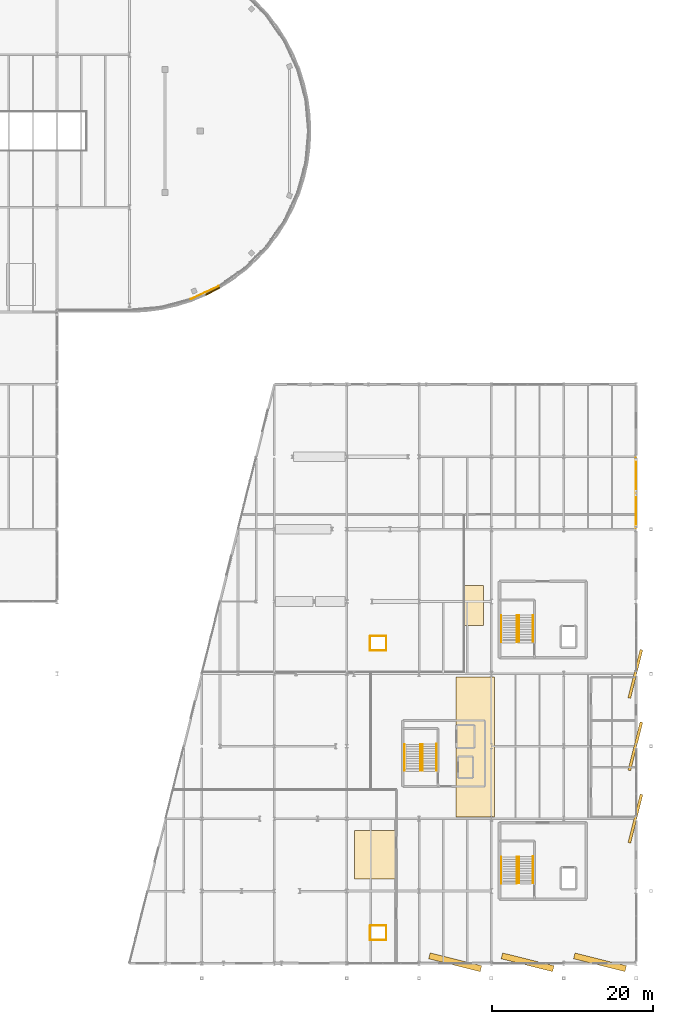
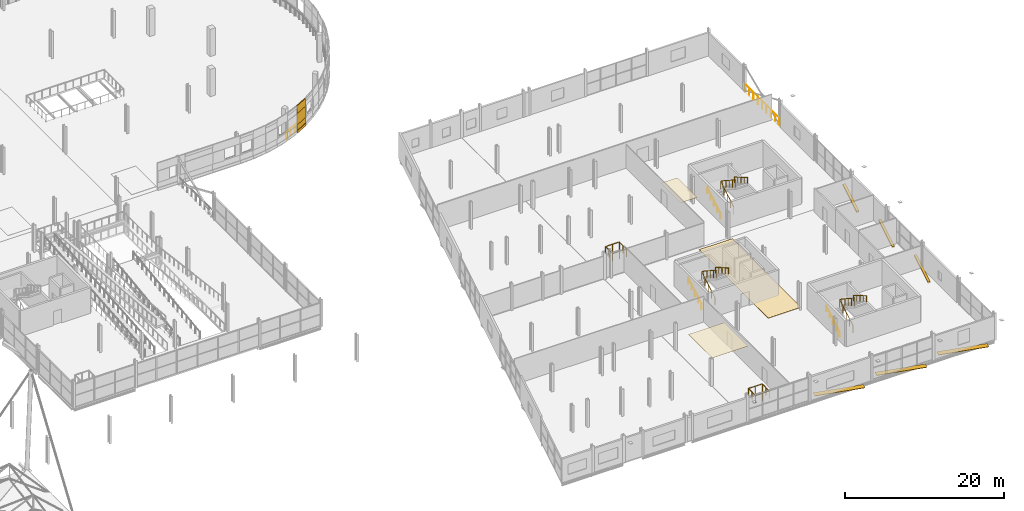
# One storey, part 129 of 132: 15 railings, 7 coverings, 6 shading devices.
"""IFC4 building model written with IfcOpenShell, lengths in metres."""

from ifc_helpers import new_model, si_unit, direction, frame, origin, origin_2d, place, context, subcontext, project, spatial, polyline, rectangle, circle, outline, extrude, material, layer, layer_set, type_object, element, save


model = new_model("IFC4")

# Units and contexts
model_context = context("Model", 3, precision=1e-05, world=origin(), true_north=direction((0.0, 1.0)))
body_context = subcontext(model_context, "Body", "Model", "MODEL_VIEW")
ifc_project = project(units=[si_unit("LENGTHUNIT", "METRE"), si_unit("AREAUNIT", "SQUARE_METRE"), si_unit("VOLUMEUNIT", "CUBIC_METRE"), si_unit("PLANEANGLEUNIT", "RADIAN"), si_unit("MASSUNIT", "GRAM", prefix="KILO")], contexts=[model_context])

# Site, building, storey
site_placement = place(None, origin())
site = spatial("IfcSite", under=ifc_project, at=site_placement, CompositionType="ELEMENT")
building_placement = place(site_placement, origin())
building = spatial("IfcBuilding", under=site, at=building_placement, Name="Deido Ridge Mobility Hub", CompositionType="ELEMENT")
storey_placement = place(building_placement, frame((0.0, 0.0, 8.39990234375)))
storey = spatial("IfcBuildingStorey", under=building, at=storey_placement, Name="L02", CompositionType="ELEMENT", Elevation=8.39990234375)

# Coverings
ifc_material_1 = material(Name="Fired clay brick masonry", Category="masonry")
ifc_layer_1 = layer(ifc_material_1, 0.114990234375, Name="Fired clay brick masonry")
ifc_layer_set_1 = layer_set([ifc_layer_1], Name="Fired clay brick masonry")
covering_type_1 = type_object("IfcCoveringType", Name="COV-BRK-SCREEN-115", PredefinedType="CLADDING", material=ifc_layer_set_1)
covering_1_placement = place(storey_placement, frame((127.355224609375, 83.607666015625, 0.0), z_axis=(0.0, 0.0, 1.0), x_axis=(0.887018892077, 0.461733131905, 0.0)))
element("IfcCovering", 1, at=covering_1_placement, inside=storey, type_object=covering_type_1, Name="Open brickwork spandrel course BKS1 (L02)", PredefinedType="CLADDING", context=body_context, shape_type="SweptSolid", body=[
    extrude(rectangle(XDim=1.9619140625, YDim=0.125, at=origin_2d()), origin(), (0.0, 0.0, 1.0), 1.25),
])
covering_2_placement = place(storey_placement, frame((127.367919921875, 83.583251953125, 0.000244140625), z_axis=(0.0, 0.0, 1.0), x_axis=(0.887018892077, 0.461733131905, 0.0)))
element("IfcCovering", 2, at=covering_2_placement, inside=storey, type_object=covering_type_1, Name="Raised brick relief belt BKS1 (L02)", PredefinedType="CLADDING", context=body_context, shape_type="SweptSolid", body=[
    extrude(rectangle(XDim=1.9619140625, YDim=0.179931640625, at=origin_2d()), origin(), (0.0, 0.0, 1.0), 0.39990234375),
])
covering_3_placement = place(storey_placement, frame((127.355224609375, 83.607666015625, 3.0), z_axis=(0.0, 0.0, 1.0), x_axis=(0.887018892077, 0.461733131905, 0.0)))
element("IfcCovering", 3, at=covering_3_placement, inside=storey, type_object=covering_type_1, Name="Open brickwork lintel course BKS1 (L02)", PredefinedType="CLADDING", context=body_context, shape_type="SweptSolid", body=[
    extrude(rectangle(XDim=1.9619140625, YDim=0.125, at=origin_2d()), origin(), (0.0, 0.0, 1.0), 1.199951171875),
])
covering_4_placement = place(storey_placement, frame((127.355224609375, 83.607666015625, 1.25), z_axis=(0.0, 0.0, 1.0), x_axis=(0.887018892077, 0.461733131905, 0.0)))
element("IfcCovering", 4, at=covering_4_placement, inside=storey, type_object=covering_type_1, Name="Curved raised brickwork pier BKS1 (L02)", PredefinedType="CLADDING", context=body_context, shape_type="SweptSolid", body=[
    extrude(rectangle(XDim=1.9619140625, YDim=0.125, at=origin_2d()), origin(), (0.0, 0.0, 1.0), 1.75),
])
ifc_material_2 = material(Name="Powder-coated aluminium cladding EN AW-3003", Category="aluminium")
ifc_layer_2 = layer(ifc_material_2, 0.02001953125, Name="Powder-coated aluminium cladding EN AW-3003")
ifc_layer_set_2 = layer_set([ifc_layer_2], Name="Powder-coated aluminium cladding EN AW-3003")
covering_type_2 = type_object("IfcCoveringType", Name="COV-CEIL-ALU-20", PredefinedType="CEILING", material=ifc_layer_set_2)
covering_5_placement = place(storey_placement, frame((0.0, 0.0, 2.9501953125)))
element("IfcCovering", 5, at=covering_5_placement, inside=storey, type_object=covering_type_2, Name="Acoustic suspended ceiling CL1 (L02)", PredefinedType="CEILING", context=body_context, shape_type="SweptSolid", body=[
    extrude(outline(polyline([(145.0, 10.5), (150.199951171875, 10.5), (150.199951171875, 16.5), (145.0, 16.5), (145.0, 10.5)])), origin(), (0.0, 0.0, 1.0), 0.02001953125),
])
covering_6_placement = place(storey_placement, frame((0.0, 0.0, 2.9501953125)))
element("IfcCovering", 6, at=covering_6_placement, inside=storey, type_object=covering_type_2, Name="Corridor acoustic ceiling CL1 (L02)", PredefinedType="CEILING", context=body_context, shape_type="SweptSolid", body=[
    extrude(outline(polyline([(158.60009765625, 42.0), (161.0, 42.0), (161.0, 47.0), (158.60009765625, 47.0), (158.60009765625, 42.0)])), origin(), (0.0, 0.0, 1.0), 0.02001953125),
])
ifc_material_3 = material(Name="Epoxy terrazzo floor finish")
ifc_layer_3 = layer(ifc_material_3, 0.02001953125, Name="Epoxy terrazzo floor finish")
ifc_layer_set_3 = layer_set([ifc_layer_3], Name="Epoxy terrazzo floor finish")
covering_type_3 = type_object("IfcCoveringType", Name="COV-FLR-TER-20", PredefinedType="FLOORING", material=ifc_layer_set_3)
covering_7_placement = place(storey_placement, origin())
element("IfcCovering", 7, at=covering_7_placement, inside=storey, type_object=covering_type_3, Name="Epoxy terrazzo corridor flooring FC1 (L02)", PredefinedType="FLOORING", context=body_context, shape_type="SweptSolid", body=[
    extrude(outline(polyline([(157.60009765625, 18.199951171875), (162.39990234375, 18.199951171875), (162.39990234375, 35.60009765625), (157.60009765625, 35.60009765625), (157.60009765625, 18.199951171875)])), origin(), (0.0, 0.0, 1.0), 0.02001953125),
])

# Railings
ifc_material_4 = material(Name="Galvanised steel work", Category="steel")
railing_type_1 = type_object("IfcRailingType", Name="RL-GRD-EXT-1150", PredefinedType="GUARDRAIL", material=ifc_material_4)
railing_1_placement = place(storey_placement, frame((180.0, 54.14990234375, 0.0)))
element("IfcRailing", 8, at=railing_1_placement, inside=storey, type_object=railing_type_1, Name="Braced bay perimeter guard (L02)", PredefinedType="GUARDRAIL", context=body_context, shape_type="SweptSolid", body=[
    extrude(circle(Radius=0.02392578125, at=origin_2d()), frame((0.0, 0.0, 1.1259765625), z_axis=(0.0, 1.0, 0.0), x_axis=(-1.0, 0.0, 0.0)), (0.0, 0.0, 1.0), 8.7001953125),
    extrude(circle(Radius=0.02099609375, at=origin_2d()), origin(), (0.0, 0.0, 1.0), 1.101806640625),
    extrude(circle(Radius=0.02099609375, at=origin_2d()), frame((0.0, 1.08740234375, 0.0)), (0.0, 0.0, 1.0), 1.101806640625),
    extrude(circle(Radius=0.02099609375, at=origin_2d()), frame((0.0, 2.175048828125, 0.0)), (0.0, 0.0, 1.0), 1.101806640625),
    extrude(circle(Radius=0.02099609375, at=origin_2d()), frame((0.0, 3.2626953125, 0.0)), (0.0, 0.0, 1.0), 1.101806640625),
    extrude(circle(Radius=0.02099609375, at=origin_2d()), frame((0.0, 4.35009765625, 0.0)), (0.0, 0.0, 1.0), 1.101806640625),
    extrude(circle(Radius=0.02099609375, at=origin_2d()), frame((0.0, 5.4375, 0.0)), (0.0, 0.0, 1.0), 1.101806640625),
    extrude(circle(Radius=0.02099609375, at=origin_2d()), frame((0.0, 6.525146484375, 0.0)), (0.0, 0.0, 1.0), 1.101806640625),
    extrude(circle(Radius=0.02099609375, at=origin_2d()), frame((0.0, 7.61279296875, 0.0)), (0.0, 0.0, 1.0), 1.101806640625),
    extrude(circle(Radius=0.02099609375, at=origin_2d()), frame((0.0, 8.7001953125, 0.0)), (0.0, 0.0, 1.0), 1.101806640625),
])
railing_2_placement = place(storey_placement, frame((124.646240234375, 82.608642578125, 0.0)))
element("IfcRailing", 9, at=railing_2_placement, inside=storey, type_object=railing_type_1, Name="Parking drum perimeter guard (L02)", PredefinedType="GUARDRAIL", context=body_context, shape_type="SweptSolid", body=[
    extrude(circle(Radius=0.02392578125, at=origin_2d()), frame((0.0, 0.0, 1.1259765625), z_axis=(0.906281639574, 0.422674330627, 0.0), x_axis=(-0.422674330627, 0.906281639574, 0.0)), (0.0, 0.0, 1.0), 3.79833984375),
    extrude(circle(Radius=0.02099609375, at=origin_2d()), origin(), (0.0, 0.0, 1.0), 1.101806640625),
    extrude(circle(Radius=0.02099609375, at=origin_2d()), frame((0.860595703125, 0.4013671875, 0.0)), (0.0, 0.0, 1.0), 1.101806640625),
    extrude(circle(Radius=0.02099609375, at=origin_2d()), frame((1.72119140625, 0.802734375, 0.0)), (0.0, 0.0, 1.0), 1.101806640625),
    extrude(circle(Radius=0.02099609375, at=origin_2d()), frame((2.581787109375, 1.2041015625, 0.0)), (0.0, 0.0, 1.0), 1.101806640625),
    extrude(circle(Radius=0.02099609375, at=origin_2d()), frame((3.4423828125, 1.60546875, 0.0)), (0.0, 0.0, 1.0), 1.101806640625),
])
railing_3_placement = place(storey_placement, frame((146.925048828125, 2.89990234375, 0.0)))
element("IfcRailing", 10, at=railing_3_placement, inside=storey, type_object=railing_type_1, Name="Service riser shaft guard (L02) A", PredefinedType="GUARDRAIL", context=body_context, shape_type="SweptSolid", body=[
    extrude(circle(Radius=0.02392578125, at=origin_2d()), frame((0.0, 0.0, 1.1259765625), z_axis=(1.0, 0.0, 0.0), x_axis=(0.0, 1.0, 0.0)), (0.0, 0.0, 1.0), 2.0),
    extrude(circle(Radius=0.02392578125, at=origin_2d()), frame((2.0, 0.0, 1.1259765625), z_axis=(0.0, 1.0, 0.0), x_axis=(-1.0, 0.0, 0.0)), (0.0, 0.0, 1.0), 1.739990234375),
    extrude(circle(Radius=0.02099609375, at=origin_2d()), origin(), (0.0, 0.0, 1.0), 1.101806640625),
    extrude(circle(Radius=0.02099609375, at=origin_2d()), frame((1.0, 0.0, 0.0)), (0.0, 0.0, 1.0), 1.101806640625),
    extrude(circle(Radius=0.02099609375, at=origin_2d()), frame((2.0, 0.0, 0.0)), (0.0, 0.0, 1.0), 1.101806640625),
    extrude(circle(Radius=0.02099609375, at=origin_2d()), frame((2.0, 0.8701171875, 0.0)), (0.0, 0.0, 1.0), 1.101806640625),
    extrude(circle(Radius=0.02099609375, at=origin_2d()), frame((2.0, 1.739990234375, 0.0)), (0.0, 0.0, 1.0), 1.101806640625),
])
railing_4_placement = place(storey_placement, frame((148.925048828125, 4.699951171875, 0.0)))
element("IfcRailing", 11, at=railing_4_placement, inside=storey, type_object=railing_type_1, Name="Service riser shaft guard (L02) B", PredefinedType="GUARDRAIL", context=body_context, shape_type="SweptSolid", body=[
    extrude(circle(Radius=0.02392578125, at=origin_2d()), frame((0.0, 0.0, 1.1259765625), z_axis=(-1.0, 0.0, 0.0), x_axis=(0.0, -1.0, 0.0)), (0.0, 0.0, 1.0), 2.0),
    extrude(circle(Radius=0.02392578125, at=origin_2d()), frame((-2.0, 0.0, 1.1259765625), z_axis=(0.0, -1.0, 0.0), x_axis=(1.0, 0.0, 0.0)), (0.0, 0.0, 1.0), 1.739990234375),
    extrude(circle(Radius=0.02099609375, at=origin_2d()), origin(), (0.0, 0.0, 1.0), 1.101806640625),
    extrude(circle(Radius=0.02099609375, at=origin_2d()), frame((-1.0, 0.0, 0.0)), (0.0, 0.0, 1.0), 1.101806640625),
    extrude(circle(Radius=0.02099609375, at=origin_2d()), frame((-2.0, 0.0, 0.0)), (0.0, 0.0, 1.0), 1.101806640625),
    extrude(circle(Radius=0.02099609375, at=origin_2d()), frame((-2.0, -0.8701171875, 0.0)), (0.0, 0.0, 1.0), 1.101806640625),
    extrude(circle(Radius=0.02099609375, at=origin_2d()), frame((-2.0, -1.739990234375, 0.0)), (0.0, 0.0, 1.0), 1.101806640625),
])
railing_5_placement = place(storey_placement, frame((146.925048828125, 38.89990234375, 0.0)))
element("IfcRailing", 12, at=railing_5_placement, inside=storey, type_object=railing_type_1, Name="Service riser shaft guard (L02) A", PredefinedType="GUARDRAIL", context=body_context, shape_type="SweptSolid", body=[
    extrude(circle(Radius=0.02392578125, at=origin_2d()), frame((0.0, 0.0, 1.1259765625), z_axis=(1.0, 0.0, 0.0), x_axis=(0.0, 1.0, 0.0)), (0.0, 0.0, 1.0), 2.0),
    extrude(circle(Radius=0.02392578125, at=origin_2d()), frame((2.0, 0.0, 1.1259765625), z_axis=(0.0, 1.0, 0.0), x_axis=(-1.0, 0.0, 0.0)), (0.0, 0.0, 1.0), 1.739990234375),
    extrude(circle(Radius=0.02099609375, at=origin_2d()), origin(), (0.0, 0.0, 1.0), 1.101806640625),
    extrude(circle(Radius=0.02099609375, at=origin_2d()), frame((1.0, 0.0, 0.0)), (0.0, 0.0, 1.0), 1.101806640625),
    extrude(circle(Radius=0.02099609375, at=origin_2d()), frame((2.0, 0.0, 0.0)), (0.0, 0.0, 1.0), 1.101806640625),
    extrude(circle(Radius=0.02099609375, at=origin_2d()), frame((2.0, 0.8701171875, 0.0)), (0.0, 0.0, 1.0), 1.101806640625),
    extrude(circle(Radius=0.02099609375, at=origin_2d()), frame((2.0, 1.739990234375, 0.0)), (0.0, 0.0, 1.0), 1.101806640625),
])
railing_6_placement = place(storey_placement, frame((148.925048828125, 40.699951171875, 0.0)))
element("IfcRailing", 13, at=railing_6_placement, inside=storey, type_object=railing_type_1, Name="Service riser shaft guard (L02) B", PredefinedType="GUARDRAIL", context=body_context, shape_type="SweptSolid", body=[
    extrude(circle(Radius=0.02392578125, at=origin_2d()), frame((0.0, 0.0, 1.1259765625), z_axis=(-1.0, 0.0, 0.0), x_axis=(0.0, -1.0, 0.0)), (0.0, 0.0, 1.0), 2.0),
    extrude(circle(Radius=0.02392578125, at=origin_2d()), frame((-2.0, 0.0, 1.1259765625), z_axis=(0.0, -1.0, 0.0), x_axis=(1.0, 0.0, 0.0)), (0.0, 0.0, 1.0), 1.739990234375),
    extrude(circle(Radius=0.02099609375, at=origin_2d()), origin(), (0.0, 0.0, 1.0), 1.101806640625),
    extrude(circle(Radius=0.02099609375, at=origin_2d()), frame((-1.0, 0.0, 0.0)), (0.0, 0.0, 1.0), 1.101806640625),
    extrude(circle(Radius=0.02099609375, at=origin_2d()), frame((-2.0, 0.0, 0.0)), (0.0, 0.0, 1.0), 1.101806640625),
    extrude(circle(Radius=0.02099609375, at=origin_2d()), frame((-2.0, -0.8701171875, 0.0)), (0.0, 0.0, 1.0), 1.101806640625),
    extrude(circle(Radius=0.02099609375, at=origin_2d()), frame((-2.0, -1.739990234375, 0.0)), (0.0, 0.0, 1.0), 1.101806640625),
])
railing_type_2 = type_object("IfcRailingType", Name="RL-STAIR-GRD-1150", PredefinedType="GUARDRAIL", material=ifc_material_4)
railing_7_placement = place(storey_placement, frame((165.14990234375, 9.949951171875, 0.175048828125)))
element("IfcRailing", 14, at=railing_7_placement, inside=storey, type_object=railing_type_2, Name="ST1 inner well guard (L02)", PredefinedType="GUARDRAIL", context=body_context, shape_type="SweptSolid", body=[
    extrude(circle(Radius=0.02392578125, at=origin_2d()), frame((0.0, 0.0, 1.1259765625), z_axis=(0.0, 0.863776583165, 0.503874998761), x_axis=(-1.0, 0.0, 0.0)), (0.0, 0.0, 1.0), 3.820556640625),
    extrude(circle(Radius=0.02392578125, at=origin_2d()), frame((0.0, 3.300048828125, 3.05078125), z_axis=(1.0, 0.0, 0.0), x_axis=(0.0, 1.0, 0.0)), (0.0, 0.0, 1.0), 0.300048828125),
    extrude(circle(Radius=0.02392578125, at=origin_2d()), frame((0.300048828125, 3.300048828125, 3.05078125), z_axis=(0.0, -0.839905164138, 0.542733189748), x_axis=(1.0, 0.0, 0.0)), (0.0, 0.0, 1.0), 3.869384765625),
    extrude(circle(Radius=0.02099609375, at=origin_2d()), origin(), (0.0, 0.0, 1.0), 1.101806640625),
    extrude(circle(Radius=0.02099609375, at=origin_2d()), frame((0.0, 0.824951171875, 0.481201171875)), (0.0, 0.0, 1.0), 1.101806640625),
    extrude(circle(Radius=0.02099609375, at=origin_2d()), frame((0.0, 1.64990234375, 0.96240234375)), (0.0, 0.0, 1.0), 1.101806640625),
    extrude(circle(Radius=0.02099609375, at=origin_2d()), frame((0.0, 2.47509765625, 1.44384765625)), (0.0, 0.0, 1.0), 1.101806640625),
    extrude(circle(Radius=0.02099609375, at=origin_2d()), frame((0.0, 3.300048828125, 1.925048828125)), (0.0, 0.0, 1.0), 1.101806640625),
    extrude(circle(Radius=0.02099609375, at=origin_2d()), frame((0.300048828125, 3.300048828125, 1.925048828125)), (0.0, 0.0, 1.0), 1.101806640625),
    extrude(circle(Radius=0.02099609375, at=origin_2d()), frame((0.300048828125, 2.487548828125, 2.4501953125)), (0.0, 0.0, 1.0), 1.101806640625),
    extrude(circle(Radius=0.02099609375, at=origin_2d()), frame((0.300048828125, 1.675048828125, 2.97509765625)), (0.0, 0.0, 1.0), 1.101806640625),
    extrude(circle(Radius=0.02099609375, at=origin_2d()), frame((0.300048828125, 0.862548828125, 3.5)), (0.0, 0.0, 1.0), 1.101806640625),
    extrude(circle(Radius=0.02099609375, at=origin_2d()), frame((0.300048828125, 0.050048828125, 4.025146484375)), (0.0, 0.0, 1.0), 1.101806640625),
])
railing_8_placement = place(storey_placement, frame((165.14990234375, 39.949951171875, 0.175048828125)))
element("IfcRailing", 15, at=railing_8_placement, inside=storey, type_object=railing_type_2, Name="ST2 inner well guard (L02)", PredefinedType="GUARDRAIL", context=body_context, shape_type="SweptSolid", body=[
    extrude(circle(Radius=0.02392578125, at=origin_2d()), frame((0.0, 0.0, 1.1259765625), z_axis=(0.0, 0.863776583165, 0.503874998761), x_axis=(-1.0, 0.0, 0.0)), (0.0, 0.0, 1.0), 3.820556640625),
    extrude(circle(Radius=0.02392578125, at=origin_2d()), frame((0.0, 3.300048828125, 3.05078125), z_axis=(1.0, 0.0, 0.0), x_axis=(0.0, 1.0, 0.0)), (0.0, 0.0, 1.0), 0.300048828125),
    extrude(circle(Radius=0.02392578125, at=origin_2d()), frame((0.300048828125, 3.300048828125, 3.05078125), z_axis=(0.0, -0.839905164138, 0.542733189748), x_axis=(1.0, 0.0, 0.0)), (0.0, 0.0, 1.0), 3.869384765625),
    extrude(circle(Radius=0.02099609375, at=origin_2d()), origin(), (0.0, 0.0, 1.0), 1.101806640625),
    extrude(circle(Radius=0.02099609375, at=origin_2d()), frame((0.0, 0.824951171875, 0.481201171875)), (0.0, 0.0, 1.0), 1.101806640625),
    extrude(circle(Radius=0.02099609375, at=origin_2d()), frame((0.0, 1.64990234375, 0.96240234375)), (0.0, 0.0, 1.0), 1.101806640625),
    extrude(circle(Radius=0.02099609375, at=origin_2d()), frame((0.0, 2.47509765625, 1.44384765625)), (0.0, 0.0, 1.0), 1.101806640625),
    extrude(circle(Radius=0.02099609375, at=origin_2d()), frame((0.0, 3.300048828125, 1.925048828125)), (0.0, 0.0, 1.0), 1.101806640625),
    extrude(circle(Radius=0.02099609375, at=origin_2d()), frame((0.300048828125, 3.300048828125, 1.925048828125)), (0.0, 0.0, 1.0), 1.101806640625),
    extrude(circle(Radius=0.02099609375, at=origin_2d()), frame((0.300048828125, 2.487548828125, 2.4501953125)), (0.0, 0.0, 1.0), 1.101806640625),
    extrude(circle(Radius=0.02099609375, at=origin_2d()), frame((0.300048828125, 1.675048828125, 2.97509765625)), (0.0, 0.0, 1.0), 1.101806640625),
    extrude(circle(Radius=0.02099609375, at=origin_2d()), frame((0.300048828125, 0.862548828125, 3.5)), (0.0, 0.0, 1.0), 1.101806640625),
    extrude(circle(Radius=0.02099609375, at=origin_2d()), frame((0.300048828125, 0.050048828125, 4.025146484375)), (0.0, 0.0, 1.0), 1.101806640625),
])
railing_9_placement = place(storey_placement, frame((153.14990234375, 23.949951171875, 0.175048828125)))
element("IfcRailing", 16, at=railing_9_placement, inside=storey, type_object=railing_type_2, Name="ST3 inner well guard (L02)", PredefinedType="GUARDRAIL", context=body_context, shape_type="SweptSolid", body=[
    extrude(circle(Radius=0.02392578125, at=origin_2d()), frame((0.0, 0.0, 1.1259765625), z_axis=(0.0, 0.863776583165, 0.503874998761), x_axis=(-1.0, 0.0, 0.0)), (0.0, 0.0, 1.0), 3.820556640625),
    extrude(circle(Radius=0.02392578125, at=origin_2d()), frame((0.0, 3.300048828125, 3.05078125), z_axis=(1.0, 0.0, 0.0), x_axis=(0.0, 1.0, 0.0)), (0.0, 0.0, 1.0), 0.300048828125),
    extrude(circle(Radius=0.02392578125, at=origin_2d()), frame((0.300048828125, 3.300048828125, 3.05078125), z_axis=(0.0, -0.839905164138, 0.542733189748), x_axis=(1.0, 0.0, 0.0)), (0.0, 0.0, 1.0), 3.869384765625),
    extrude(circle(Radius=0.02099609375, at=origin_2d()), origin(), (0.0, 0.0, 1.0), 1.101806640625),
    extrude(circle(Radius=0.02099609375, at=origin_2d()), frame((0.0, 0.824951171875, 0.481201171875)), (0.0, 0.0, 1.0), 1.101806640625),
    extrude(circle(Radius=0.02099609375, at=origin_2d()), frame((0.0, 1.64990234375, 0.96240234375)), (0.0, 0.0, 1.0), 1.101806640625),
    extrude(circle(Radius=0.02099609375, at=origin_2d()), frame((0.0, 2.47509765625, 1.44384765625)), (0.0, 0.0, 1.0), 1.101806640625),
    extrude(circle(Radius=0.02099609375, at=origin_2d()), frame((0.0, 3.300048828125, 1.925048828125)), (0.0, 0.0, 1.0), 1.101806640625),
    extrude(circle(Radius=0.02099609375, at=origin_2d()), frame((0.300048828125, 3.300048828125, 1.925048828125)), (0.0, 0.0, 1.0), 1.101806640625),
    extrude(circle(Radius=0.02099609375, at=origin_2d()), frame((0.300048828125, 2.487548828125, 2.4501953125)), (0.0, 0.0, 1.0), 1.101806640625),
    extrude(circle(Radius=0.02099609375, at=origin_2d()), frame((0.300048828125, 1.675048828125, 2.97509765625)), (0.0, 0.0, 1.0), 1.101806640625),
    extrude(circle(Radius=0.02099609375, at=origin_2d()), frame((0.300048828125, 0.862548828125, 3.5)), (0.0, 0.0, 1.0), 1.101806640625),
    extrude(circle(Radius=0.02099609375, at=origin_2d()), frame((0.300048828125, 0.050048828125, 4.025146484375)), (0.0, 0.0, 1.0), 1.101806640625),
])
ifc_material_5 = material(Name="Stainless steel 316", Category="steel")
railing_type_3 = type_object("IfcRailingType", Name="RL-STAIR-HND-900", PredefinedType="HANDRAIL", material=ifc_material_5)
railing_10_placement = place(storey_placement, frame((163.222412109375, 9.949951171875, 0.175048828125)))
element("IfcRailing", 17, at=railing_10_placement, inside=storey, type_object=railing_type_3, Name="ST1 flight 1 handrail (L02)", PredefinedType="HANDRAIL", context=body_context, shape_type="SweptSolid", body=[
    extrude(circle(Radius=0.02392578125, at=origin_2d()), frame((0.0, 0.0, 0.8759765625), z_axis=(0.0, 0.863776583165, 0.503874998761), x_axis=(-1.0, 0.0, 0.0)), (0.0, 0.0, 1.0), 3.820556640625),
    extrude(circle(Radius=0.02099609375, at=origin_2d()), origin(), (0.0, 0.0, 1.0), 0.851806640625),
    extrude(circle(Radius=0.02099609375, at=origin_2d()), frame((0.0, 0.824951171875, 0.481201171875)), (0.0, 0.0, 1.0), 0.851806640625),
    extrude(circle(Radius=0.02099609375, at=origin_2d()), frame((0.0, 1.64990234375, 0.96240234375)), (0.0, 0.0, 1.0), 0.851806640625),
    extrude(circle(Radius=0.02099609375, at=origin_2d()), frame((0.0, 2.47509765625, 1.44384765625)), (0.0, 0.0, 1.0), 0.851806640625),
    extrude(circle(Radius=0.02099609375, at=origin_2d()), frame((0.0, 3.300048828125, 1.925048828125)), (0.0, 0.0, 1.0), 0.851806640625),
])
railing_11_placement = place(storey_placement, frame((167.175048828125, 13.300048828125, 2.275146484375)))
element("IfcRailing", 18, at=railing_11_placement, inside=storey, type_object=railing_type_3, Name="ST1 flight 2 handrail (L02)", PredefinedType="HANDRAIL", context=body_context, shape_type="SweptSolid", body=[
    extrude(circle(Radius=0.02392578125, at=origin_2d()), frame((0.0, 0.0, 0.8759765625), z_axis=(0.0, -0.863776583165, 0.503874998761), x_axis=(1.0, 0.0, 0.0)), (0.0, 0.0, 1.0), 3.820556640625),
    extrude(circle(Radius=0.02099609375, at=origin_2d()), origin(), (0.0, 0.0, 1.0), 0.851806640625),
    extrude(circle(Radius=0.02099609375, at=origin_2d()), frame((0.0, -0.824951171875, 0.481201171875)), (0.0, 0.0, 1.0), 0.851806640625),
    extrude(circle(Radius=0.02099609375, at=origin_2d()), frame((0.0, -1.64990234375, 0.96240234375)), (0.0, 0.0, 1.0), 0.851806640625),
    extrude(circle(Radius=0.02099609375, at=origin_2d()), frame((0.0, -2.47509765625, 1.44384765625)), (0.0, 0.0, 1.0), 0.851806640625),
    extrude(circle(Radius=0.02099609375, at=origin_2d()), frame((0.0, -3.300048828125, 1.925048828125)), (0.0, 0.0, 1.0), 0.851806640625),
])
railing_12_placement = place(storey_placement, frame((163.222412109375, 39.949951171875, 0.175048828125)))
element("IfcRailing", 19, at=railing_12_placement, inside=storey, type_object=railing_type_3, Name="ST2 flight 1 handrail (L02)", PredefinedType="HANDRAIL", context=body_context, shape_type="SweptSolid", body=[
    extrude(circle(Radius=0.02392578125, at=origin_2d()), frame((0.0, 0.0, 0.8759765625), z_axis=(0.0, 0.863776583165, 0.503874998761), x_axis=(-1.0, 0.0, 0.0)), (0.0, 0.0, 1.0), 3.820556640625),
    extrude(circle(Radius=0.02099609375, at=origin_2d()), origin(), (0.0, 0.0, 1.0), 0.851806640625),
    extrude(circle(Radius=0.02099609375, at=origin_2d()), frame((0.0, 0.824951171875, 0.481201171875)), (0.0, 0.0, 1.0), 0.851806640625),
    extrude(circle(Radius=0.02099609375, at=origin_2d()), frame((0.0, 1.64990234375, 0.96240234375)), (0.0, 0.0, 1.0), 0.851806640625),
    extrude(circle(Radius=0.02099609375, at=origin_2d()), frame((0.0, 2.47509765625, 1.44384765625)), (0.0, 0.0, 1.0), 0.851806640625),
    extrude(circle(Radius=0.02099609375, at=origin_2d()), frame((0.0, 3.300048828125, 1.925048828125)), (0.0, 0.0, 1.0), 0.851806640625),
])
railing_13_placement = place(storey_placement, frame((167.175048828125, 43.300048828125, 2.275146484375)))
element("IfcRailing", 20, at=railing_13_placement, inside=storey, type_object=railing_type_3, Name="ST2 flight 2 handrail (L02)", PredefinedType="HANDRAIL", context=body_context, shape_type="SweptSolid", body=[
    extrude(circle(Radius=0.02392578125, at=origin_2d()), frame((0.0, 0.0, 0.8759765625), z_axis=(0.0, -0.863776583165, 0.503874998761), x_axis=(1.0, 0.0, 0.0)), (0.0, 0.0, 1.0), 3.820556640625),
    extrude(circle(Radius=0.02099609375, at=origin_2d()), origin(), (0.0, 0.0, 1.0), 0.851806640625),
    extrude(circle(Radius=0.02099609375, at=origin_2d()), frame((0.0, -0.824951171875, 0.481201171875)), (0.0, 0.0, 1.0), 0.851806640625),
    extrude(circle(Radius=0.02099609375, at=origin_2d()), frame((0.0, -1.64990234375, 0.96240234375)), (0.0, 0.0, 1.0), 0.851806640625),
    extrude(circle(Radius=0.02099609375, at=origin_2d()), frame((0.0, -2.47509765625, 1.44384765625)), (0.0, 0.0, 1.0), 0.851806640625),
    extrude(circle(Radius=0.02099609375, at=origin_2d()), frame((0.0, -3.300048828125, 1.925048828125)), (0.0, 0.0, 1.0), 0.851806640625),
])
railing_14_placement = place(storey_placement, frame((151.2099609375, 23.949951171875, 0.175048828125)))
element("IfcRailing", 21, at=railing_14_placement, inside=storey, type_object=railing_type_3, Name="ST3 flight 1 handrail (L02)", PredefinedType="HANDRAIL", context=body_context, shape_type="SweptSolid", body=[
    extrude(circle(Radius=0.02392578125, at=origin_2d()), frame((0.0, 0.0, 0.8759765625), z_axis=(0.0, 0.863776583165, 0.503874998761), x_axis=(-1.0, 0.0, 0.0)), (0.0, 0.0, 1.0), 3.820556640625),
    extrude(circle(Radius=0.02099609375, at=origin_2d()), origin(), (0.0, 0.0, 1.0), 0.851806640625),
    extrude(circle(Radius=0.02099609375, at=origin_2d()), frame((0.0, 0.824951171875, 0.481201171875)), (0.0, 0.0, 1.0), 0.851806640625),
    extrude(circle(Radius=0.02099609375, at=origin_2d()), frame((0.0, 1.64990234375, 0.96240234375)), (0.0, 0.0, 1.0), 0.851806640625),
    extrude(circle(Radius=0.02099609375, at=origin_2d()), frame((0.0, 2.47509765625, 1.44384765625)), (0.0, 0.0, 1.0), 0.851806640625),
    extrude(circle(Radius=0.02099609375, at=origin_2d()), frame((0.0, 3.300048828125, 1.925048828125)), (0.0, 0.0, 1.0), 0.851806640625),
])
railing_15_placement = place(storey_placement, frame((155.175048828125, 27.300048828125, 2.275146484375)))
element("IfcRailing", 22, at=railing_15_placement, inside=storey, type_object=railing_type_3, Name="ST3 flight 2 handrail (L02)", PredefinedType="HANDRAIL", context=body_context, shape_type="SweptSolid", body=[
    extrude(circle(Radius=0.02392578125, at=origin_2d()), frame((0.0, 0.0, 0.8759765625), z_axis=(0.0, -0.863776583165, 0.503874998761), x_axis=(1.0, 0.0, 0.0)), (0.0, 0.0, 1.0), 3.820556640625),
    extrude(circle(Radius=0.02099609375, at=origin_2d()), origin(), (0.0, 0.0, 1.0), 0.851806640625),
    extrude(circle(Radius=0.02099609375, at=origin_2d()), frame((0.0, -0.824951171875, 0.481201171875)), (0.0, 0.0, 1.0), 0.851806640625),
    extrude(circle(Radius=0.02099609375, at=origin_2d()), frame((0.0, -1.64990234375, 0.96240234375)), (0.0, 0.0, 1.0), 0.851806640625),
    extrude(circle(Radius=0.02099609375, at=origin_2d()), frame((0.0, -2.47509765625, 1.44384765625)), (0.0, 0.0, 1.0), 0.851806640625),
    extrude(circle(Radius=0.02099609375, at=origin_2d()), frame((0.0, -3.300048828125, 1.925048828125)), (0.0, 0.0, 1.0), 0.851806640625),
])

# Shading devices
ifc_material_6 = material(Name="Anodised aluminium EN AW-6063 T6", Category="aluminium")
ifc_layer_4 = layer(ifc_material_6, 0.219970703125, Name="Anodised aluminium EN AW-6063 T6")
ifc_layer_set_4 = layer_set([ifc_layer_4], Name="Anodised aluminium EN AW-6063 T6")
shading_device_type_1 = type_object("IfcShadingDeviceType", Name="SHD-JALOUSIE-350", PredefinedType="JALOUSIE", material=ifc_layer_set_4)
for number, where, z_axis, x_axis, name in (
    (23, (179.89990234375, 36.0, -0.2099609375), (0.0, 0.0, 1.0), (0.2419218956, 0.970295726276, 0.0), "Angled solar jalousie screen SD1"),
    (24, (179.89990234375, 27.0, -0.2099609375), (0.0, 0.0, 1.0), (0.2419218956, 0.970295726276, 0.0), "Angled solar jalousie screen SD1"),
    (25, (179.89990234375, 18.0, -0.2099609375), (0.0, 0.0, 1.0), (0.2419218956, 0.970295726276, 0.0), "Angled solar jalousie screen SD1"),
):
    element("IfcShadingDevice", number, at=place(storey_placement, frame(where, z_axis=z_axis, x_axis=x_axis)), inside=storey, type_object=shading_device_type_1, Name=name, PredefinedType="JALOUSIE", context=body_context, shape_type="SweptSolid", body=[
        extrude(rectangle(XDim=6.199951171875, YDim=0.35009765625, at=origin_2d()), origin(), (0.0, 0.0, 1.0), 0.219970703125),
    ])
ifc_layer_5 = layer(ifc_material_2, 0.06005859375, Name="Powder-coated aluminium cladding EN AW-3003")
ifc_layer_set_5 = layer_set([ifc_layer_5], Name="Powder-coated aluminium cladding EN AW-3003")
shading_device_type_2 = type_object("IfcShadingDeviceType", Name="SHD-SUNSHADE-750", PredefinedType="USERDEFINED", material=ifc_layer_set_5)
for number, where, z_axis, x_axis, name in (
    (26, (157.5, 0.139892578125, -0.1298828125), (0.0, 0.0, 1.0), (0.970295726276, -0.2419218956, 0.0), "Angled monsoon street sunshade SD2"),
    (27, (166.5, 0.139892578125, -0.1298828125), (0.0, 0.0, 1.0), (0.970295726276, -0.2419218956, 0.0), "Angled monsoon street sunshade SD2"),
    (28, (175.5, 0.139892578125, -0.1298828125), (0.0, 0.0, 1.0), (0.970295726276, -0.2419218956, 0.0), "Angled monsoon street sunshade SD2"),
):
    element("IfcShadingDevice", number, at=place(storey_placement, frame(where, z_axis=z_axis, x_axis=x_axis)), inside=storey, type_object=shading_device_type_2, Name=name, ObjectType="SUNSHADE", PredefinedType="USERDEFINED", context=body_context, shape_type="SweptSolid", body=[
        extrude(rectangle(XDim=6.60009765625, YDim=0.75, at=origin_2d()), origin(), (0.0, 0.0, 1.0), 0.06005859375),
    ])

save(model, "model.ifc")
